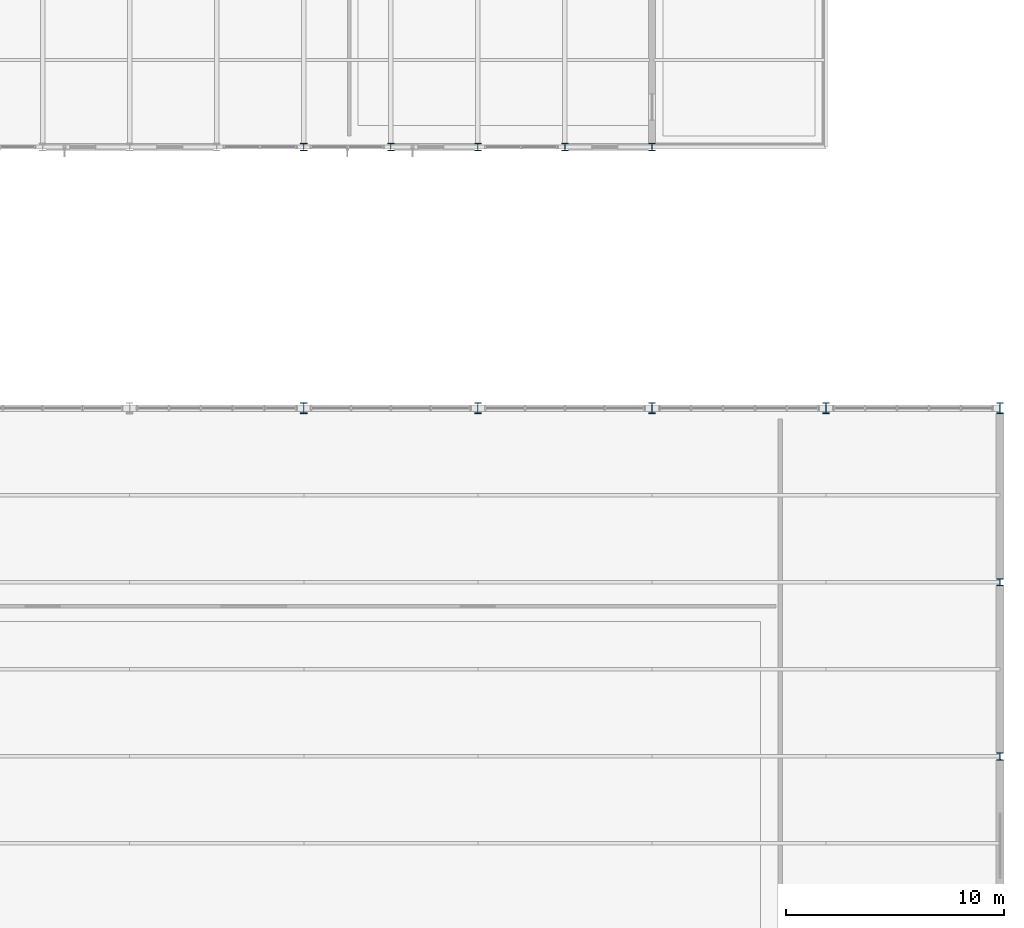
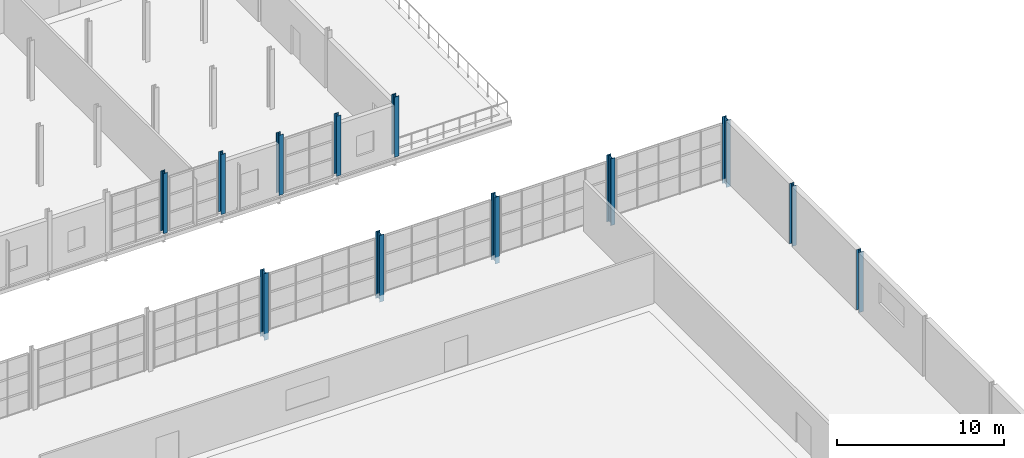
# One storey, part 14 of 153: 12 columns.
"""IFC4 building model written with IfcOpenShell, lengths in metres."""

from ifc_helpers import new_model, si_unit, derived_unit, direction, frame, origin, origin_2d, place, context, subcontext, project, spatial, i_section, extrude, material, material_profile, profile_set, type_object, element, save


model = new_model("IFC4")

# Units and contexts
model_context = context("Model", 3, precision=1e-05, world=origin(), true_north=direction((0.0, 1.0)))
body_context = subcontext(model_context, "Body", "Model", "MODEL_VIEW")
ifc_project = project(units=[si_unit("LENGTHUNIT", "METRE"), si_unit("AREAUNIT", "SQUARE_METRE"), si_unit("VOLUMEUNIT", "CUBIC_METRE"), si_unit("PLANEANGLEUNIT", "RADIAN"), si_unit("MASSUNIT", "GRAM", prefix="KILO"), derived_unit("THERMALTRANSMITTANCEUNIT", [(si_unit("POWERUNIT", "WATT"), 1), (si_unit("LENGTHUNIT", "METRE"), -2), (si_unit("THERMODYNAMICTEMPERATUREUNIT", "KELVIN"), -1)])], contexts=[model_context])

# Site, building, storey
site_placement = place(None, origin())
site = spatial("IfcSite", under=ifc_project, at=site_placement, CompositionType="ELEMENT")
building_placement = place(site_placement, origin())
building = spatial("IfcBuilding", under=site, at=building_placement, Name="Keldorne Ridge Multi-Sports Centre", CompositionType="ELEMENT")
storey_placement = place(building_placement, frame((0.0, 0.0, 9.60009765625)))
storey = spatial("IfcBuildingStorey", under=building, at=storey_placement, Name="L02", CompositionType="ELEMENT", Elevation=9.60009765625)

# Columns
ifc_material = material(Name="Steel S355", Category="steel")
ifc_material_profile_1 = material_profile(ifc_material, i_section(OverallWidth=0.300048828125, OverallDepth=0.5, WebThickness=0.014404296875, FlangeThickness=0.028076171875, FilletRadius=0.027099609375, at=origin_2d()), Name="HEB 500")
ifc_profile_set_1 = profile_set([ifc_material_profile_1], Name="Steel S355")
column_type_1 = type_object("IfcColumnType", Name="COL-C-05", PredefinedType="COLUMN", material=ifc_profile_set_1)
for number, where, z_axis, x_axis, name in (
    (1, (136.0, 54.0, -0.489990234375), (0.0, 0.0, 1.0), (1.0, 0.0, 0.0), "Structural column V2-TRUSS-N-05 on L02"),
    (2, (144.0, 54.0, -0.489990234375), (0.0, 0.0, 1.0), (1.0, 0.0, 0.0), "Structural column V2-TRUSS-N-06 on L02"),
    (3, (152.0, 54.0, -0.489990234375), (0.0, 0.0, 1.0), (1.0, 0.0, 0.0), "Structural column V2-TRUSS-N-07 on L02"),
    (4, (160.0, 54.0, -0.489990234375), (0.0, 0.0, 1.0), (1.0, 0.0, 0.0), "Structural column V2-TRUSS-N-08 on L02"),
    (5, (168.0, 54.0, -0.489990234375), (0.0, 0.0, 1.0), (1.0, 0.0, 0.0), "Structural column V2-TRUSS-N-09 on L02"),
):
    element("IfcColumn", number, at=place(storey_placement, frame(where, z_axis=z_axis, x_axis=x_axis)), inside=storey, type_object=column_type_1, Name=name, PredefinedType="COLUMN", context=body_context, shape_type="SweptSolid", body=[
        extrude(i_section(OverallWidth=0.300048828125, OverallDepth=0.5, WebThickness=0.014404296875, FlangeThickness=0.028076171875, FilletRadius=0.027099609375, at=origin_2d()), origin(), (0.0, 0.0, 1.0), 4.889892578125),
    ])
ifc_material_profile_2 = material_profile(ifc_material, i_section(OverallWidth=0.300048828125, OverallDepth=0.340087890625, WebThickness=0.011962890625, FlangeThickness=0.021484375, FilletRadius=0.027099609375, at=origin_2d()), Name="HEB 340")
ifc_profile_set_2 = profile_set([ifc_material_profile_2], Name="Steel S355")
column_type_2 = type_object("IfcColumnType", Name="COL-C-11", PredefinedType="COLUMN", material=ifc_profile_set_2)
for number, where, z_axis, x_axis, name in (
    (6, (168.0, 38.0, 0.0), (0.0, 0.0, 1.0), (1.0, 0.0, 0.0), "Structural column V2-GABLE-E-04 on L02"),
    (7, (168.0, 46.0, 0.0), (0.0, 0.0, 1.0), (1.0, 0.0, 0.0), "Structural column V2-GABLE-E-05 on L02"),
    (8, (136.0, 66.0, 0.0), (0.0, 0.0, 1.0), (1.0, 0.0, 0.0), "Structural column V5-C-07-01 on L02"),
    (9, (140.0, 66.0, 0.0), (0.0, 0.0, 1.0), (1.0, 0.0, 0.0), "Structural column V5-C-08-01 on L02"),
    (10, (144.0, 66.0, 0.0), (0.0, 0.0, 1.0), (1.0, 0.0, 0.0), "Structural column V5-C-09-01 on L02"),
    (11, (148.0, 66.0, 0.0), (0.0, 0.0, 1.0), (1.0, 0.0, 0.0), "Structural column V5-C-10-01 on L02"),
    (12, (152.0, 66.0, 0.0), (0.0, 0.0, 1.0), (1.0, 0.0, 0.0), "Structural column V5-C-11-01 on L02"),
):
    element("IfcColumn", number, at=place(storey_placement, frame(where, z_axis=z_axis, x_axis=x_axis)), inside=storey, type_object=column_type_2, Name=name, PredefinedType="COLUMN", context=body_context, shape_type="SweptSolid", body=[
        extrude(i_section(OverallWidth=0.300048828125, OverallDepth=0.340087890625, WebThickness=0.011962890625, FlangeThickness=0.021484375, FilletRadius=0.027099609375, at=origin_2d()), origin(), (0.0, 0.0, 1.0), 4.39990234375),
    ])

save(model, "model.ifc")
